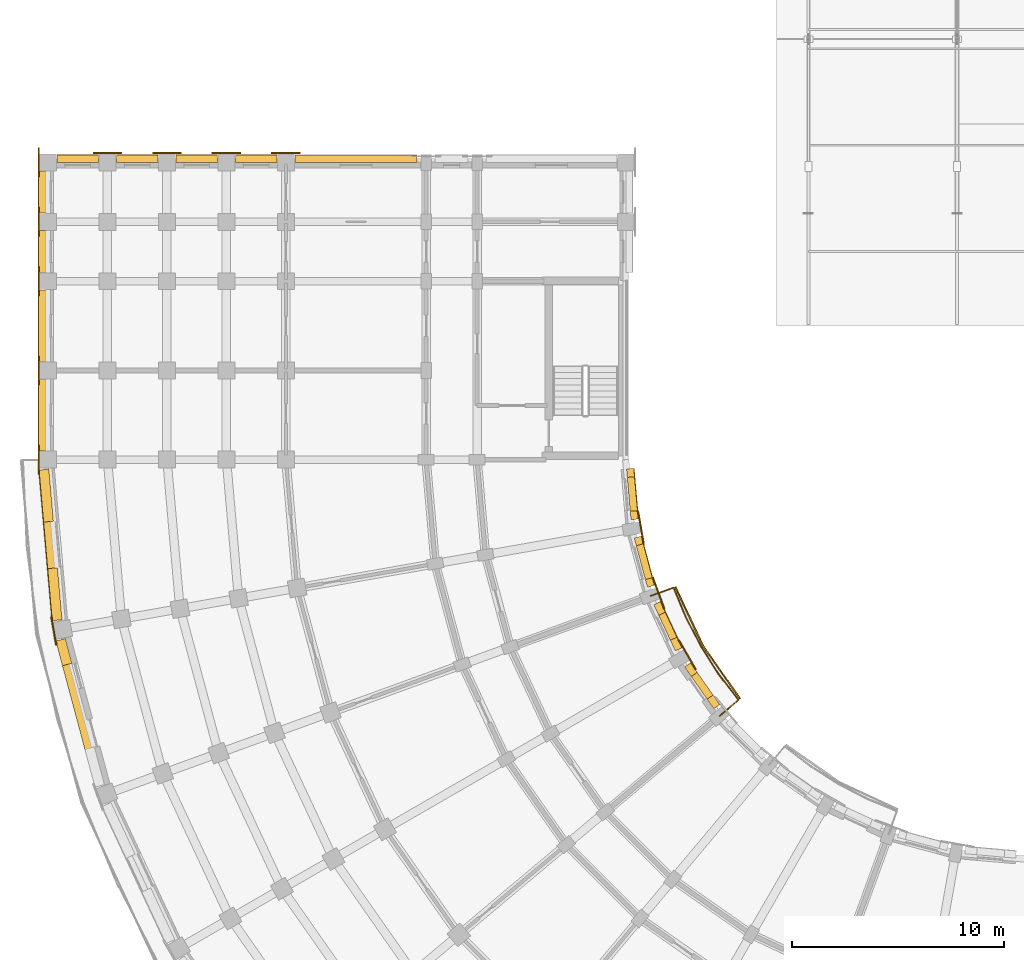
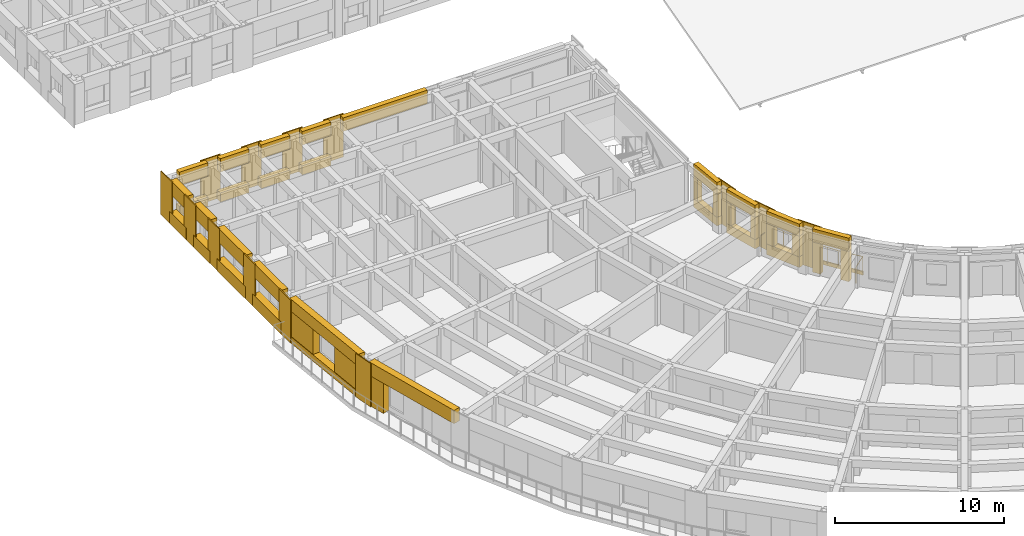
# One storey, part 62 of 76: 52 coverings, 1 railing.
"""IFC4 building model written with IfcOpenShell, lengths in metres."""

from ifc_helpers import new_model, si_unit, direction, frame, origin, origin_2d, place, context, subcontext, project, spatial, polyline, circle, outline, extrude, material, layer, layer_set, type_object, element, save


model = new_model("IFC4")

# Units and contexts
model_context = context("Model", 3, precision=1e-05, world=origin(), true_north=direction((0.0, 1.0)))
body_context = subcontext(model_context, "Body", "Model", "MODEL_VIEW")
ifc_project = project(units=[si_unit("LENGTHUNIT", "METRE"), si_unit("AREAUNIT", "SQUARE_METRE"), si_unit("VOLUMEUNIT", "CUBIC_METRE"), si_unit("PLANEANGLEUNIT", "RADIAN"), si_unit("MASSUNIT", "GRAM", prefix="KILO")], contexts=[model_context])

# Site, building, storey
site_placement = place(None, origin())
site = spatial("IfcSite", under=ifc_project, at=site_placement, CompositionType="ELEMENT")
building_placement = place(site_placement, origin())
building = spatial("IfcBuilding", under=site, at=building_placement, Name="Kiranvali Square Residences", CompositionType="ELEMENT")
storey_placement = place(building_placement, frame((0.0, 0.0, 8.699951171875)))
storey = spatial("IfcBuildingStorey", under=building, at=storey_placement, Name="L02", CompositionType="ELEMENT", Elevation=8.699951171875)

# Coverings
ifc_material_1 = material(Name="Carved Porbandar limestone classical entablature and cornice", Category="masonry")
ifc_layer_1 = layer(ifc_material_1, 0.06201171875)
ifc_layer_set_1 = layer_set([ifc_layer_1], Name="Carved Porbandar limestone classical entablature and cornice")
covering_type_1 = type_object("IfcCoveringType", Name="COV-CLAD-GBAL", PredefinedType="CLADDING", material=ifc_layer_set_1)
covering_1_placement = place(storey_placement, frame((0.0, 0.0, -0.219970703125)))
element("IfcCovering", 1, at=covering_1_placement, inside=storey, type_object=covering_type_1, Name="Block C L02 garden balcony limestone fascia 2", PredefinedType="CLADDING", context=body_context, shape_type="SweptSolid", body=[
    extrude(outline(polyline([(34.8095703125, 36.964111328125), (33.061767578125, 39.4599609375), (31.774169921875, 42.221435546875), (31.710205078125, 42.1982421875), (33.0029296875, 39.426025390625), (34.757568359375, 36.92041015625), (34.8095703125, 36.964111328125)])), origin(), (0.0, 0.0, 1.0), 0.27001953125),
])
ifc_material_2 = material(Name="Honed Porbandar limestone ashlar facade cladding", Category="masonry")
ifc_layer_2 = layer(ifc_material_2, 0.3798828125)
ifc_layer_set_2 = layer_set([ifc_layer_2], Name="Honed Porbandar limestone ashlar facade cladding")
covering_type_2 = type_object("IfcCoveringType", Name="COV-CLAD-JAMB", PredefinedType="CLADDING", material=ifc_layer_set_2)
covering_2_placement = place(storey_placement, origin())
element("IfcCovering", 2, at=covering_2_placement, inside=storey, type_object=covering_type_2, Name="L02 deep limestone window jamb reveal C-L02-CRV-07.R", PredefinedType="CLADDING", context=body_context, shape_type="SweptSolid", body=[
    extrude(outline(polyline([(3.32568359375, 38.617431640625), (3.014892578125, 39.77734375), (2.571044921875, 39.658447265625), (2.8818359375, 38.49853515625), (3.32568359375, 38.617431640625)])), origin(), (0.0, 0.0, 1.0), 2.179931640625),
])
covering_3_placement = place(storey_placement, frame((0.0, 0.0, 0.47216796875)))
element("IfcCovering", 3, at=covering_3_placement, inside=storey, type_object=covering_type_2, Name="L02 deep limestone window jamb reveal C-L02-CRV-08.L", PredefinedType="CLADDING", context=body_context, shape_type="SweptSolid", body=[
    extrude(outline(polyline([(2.859130859375, 40.660400390625), (2.644775390625, 43.1103515625), (2.18701171875, 43.070068359375), (2.4013671875, 40.620361328125), (2.859130859375, 40.660400390625)])), origin(), (0.0, 0.0, 1.0), 1.7998046875),
])
covering_4_placement = place(storey_placement, frame((0.0, 0.0, 0.47216796875)))
element("IfcCovering", 4, at=covering_4_placement, inside=storey, type_object=covering_type_2, Name="L02 deep limestone window jamb reveal C-L02-CRV-08.R", PredefinedType="CLADDING", context=body_context, shape_type="SweptSolid", body=[
    extrude(outline(polyline([(2.453125, 45.3017578125), (2.23876953125, 47.751708984375), (1.781005859375, 47.711669921875), (1.995361328125, 45.26171875), (2.453125, 45.3017578125)])), origin(), (0.0, 0.0, 1.0), 1.7998046875),
])
covering_5_placement = place(storey_placement, origin())
element("IfcCovering", 5, at=covering_5_placement, inside=storey, type_object=covering_type_2, Name="L02 deep limestone window jamb reveal C-L02-GDN-05.L", PredefinedType="CLADDING", context=body_context, shape_type="SweptSolid", body=[
    extrude(outline(polyline([(33.824462890625, 36.671142578125), (33.509765625, 37.120361328125), (33.231689453125, 36.925537109375), (33.54638671875, 36.476318359375), (33.824462890625, 36.671142578125)])), origin(), (0.0, 0.0, 1.0), 2.179931640625),
])
covering_6_placement = place(storey_placement, origin())
element("IfcCovering", 6, at=covering_6_placement, inside=storey, type_object=covering_type_2, Name="L02 deep limestone window jamb reveal C-L02-GDN-05.R", PredefinedType="CLADDING", context=body_context, shape_type="SweptSolid", body=[
    extrude(outline(polyline([(32.76416015625, 38.185302734375), (32.44970703125, 38.634521484375), (32.171630859375, 38.43994140625), (32.486083984375, 37.990478515625), (32.76416015625, 38.185302734375)])), origin(), (0.0, 0.0, 1.0), 2.179931640625),
])
covering_7_placement = place(storey_placement, frame((0.0, 0.0, 0.77197265625)))
element("IfcCovering", 7, at=covering_7_placement, inside=storey, type_object=covering_type_2, Name="L02 deep limestone window jamb reveal C-L02-GDN-06.L", PredefinedType="CLADDING", context=body_context, shape_type="SweptSolid", body=[
    extrude(outline(polyline([(32.041015625, 39.342529296875), (31.80908203125, 39.839599609375), (31.50146484375, 39.696044921875), (31.733154296875, 39.198974609375), (32.041015625, 39.342529296875)])), origin(), (0.0, 0.0, 1.0), 1.5),
])
covering_8_placement = place(storey_placement, frame((0.0, 0.0, 0.77197265625)))
element("IfcCovering", 8, at=covering_8_placement, inside=storey, type_object=covering_type_2, Name="L02 deep limestone window jamb reveal C-L02-GDN-06.R", PredefinedType="CLADDING", context=body_context, shape_type="SweptSolid", body=[
    extrude(outline(polyline([(31.259765625, 41.017822265625), (31.02783203125, 41.514892578125), (30.72021484375, 41.37158203125), (30.951904296875, 40.874267578125), (31.259765625, 41.017822265625)])), origin(), (0.0, 0.0, 1.0), 1.5),
])
covering_9_placement = place(storey_placement, frame((0.0, 0.0, 0.672119140625)))
element("IfcCovering", 9, at=covering_9_placement, inside=storey, type_object=covering_type_2, Name="L02 deep limestone window jamb reveal C-L02-GDN-07.L", PredefinedType="CLADDING", context=body_context, shape_type="SweptSolid", body=[
    extrude(outline(polyline([(30.748291015625, 42.282958984375), (30.651611328125, 42.643798828125), (30.32373046875, 42.555908203125), (30.42041015625, 42.195068359375), (30.748291015625, 42.282958984375)])), origin(), (0.0, 0.0, 1.0), 1.599853515625),
])
covering_10_placement = place(storey_placement, frame((0.0, 0.0, 0.672119140625)))
element("IfcCovering", 10, at=covering_10_placement, inside=storey, type_object=covering_type_2, Name="L02 deep limestone window jamb reveal C-L02-GDN-07.R", PredefinedType="CLADDING", context=body_context, shape_type="SweptSolid", body=[
    extrude(outline(polyline([(30.224609375, 44.237548828125), (30.1279296875, 44.598388671875), (29.800048828125, 44.510498046875), (29.896728515625, 44.149658203125), (30.224609375, 44.237548828125)])), origin(), (0.0, 0.0, 1.0), 1.599853515625),
])
covering_11_placement = place(storey_placement, frame((0.0, 0.0, 0.6220703125)))
element("IfcCovering", 11, at=covering_11_placement, inside=storey, type_object=covering_type_2, Name="L02 deep limestone window jamb reveal C-L02-GDN-08.L", PredefinedType="CLADDING", context=body_context, shape_type="SweptSolid", body=[
    extrude(outline(polyline([(29.986083984375, 45.4033203125), (29.951171875, 45.80029296875), (29.613037109375, 45.770751953125), (29.647705078125, 45.373779296875), (29.986083984375, 45.4033203125)])), origin(), (0.0, 0.0, 1.0), 1.64990234375),
])
covering_12_placement = place(storey_placement, frame((0.0, 0.0, 0.6220703125)))
element("IfcCovering", 12, at=covering_12_placement, inside=storey, type_object=covering_type_2, Name="L02 deep limestone window jamb reveal C-L02-GDN-08.R", PredefinedType="CLADDING", context=body_context, shape_type="SweptSolid", body=[
    extrude(outline(polyline([(29.811767578125, 47.394287109375), (29.777099609375, 47.791259765625), (29.43896484375, 47.76171875), (29.4736328125, 47.36474609375), (29.811767578125, 47.394287109375)])), origin(), (0.0, 0.0, 1.0), 1.64990234375),
])
ifc_layer_3 = layer(ifc_material_2, 0.06494140625)
ifc_layer_set_3 = layer_set([ifc_layer_3], Name="Honed Porbandar limestone ashlar facade cladding")
covering_type_3 = type_object("IfcCoveringType", Name="COV-CLAD-PIER", PredefinedType="CLADDING", material=ifc_layer_set_3)
covering_13_placement = place(storey_placement, frame((0.0, 0.0, 0.005126953125)))
element("IfcCovering", 13, at=covering_13_placement, inside=storey, type_object=covering_type_3, Name="L02 Classical limestone corner pilaster CLAD-PR-C-L02-A08", PredefinedType="CLADDING", context=body_context, shape_type="SweptSolid", body=[
    extrude(outline(polyline([(2.31982421875, 40.800537109375), (2.555908203125, 39.461181640625), (2.62255859375, 39.472900390625), (2.38623046875, 40.812255859375), (2.31982421875, 40.800537109375)])), origin(), (0.0, 0.0, 1.0), 3.139892578125),
])
covering_14_placement = place(storey_placement, frame((0.0, 0.0, 0.005126953125)))
element("IfcCovering", 14, at=covering_14_placement, inside=storey, type_object=covering_type_3, Name="L02 Classical limestone corner pilaster CLAD-PR-C-L02-A09", PredefinedType="CLADDING", context=body_context, shape_type="SweptSolid", body=[
    extrude(outline(polyline([(1.73193359375, 48.8798828125), (1.73193359375, 47.52001953125), (1.799560546875, 47.52001953125), (1.799560546875, 48.8798828125), (1.73193359375, 48.8798828125)])), origin(), (0.0, 0.0, 1.0), 3.139892578125),
])
covering_15_placement = place(storey_placement, frame((0.0, 0.0, 0.005126953125)))
element("IfcCovering", 15, at=covering_15_placement, inside=storey, type_object=covering_type_3, Name="L02 Classical limestone pilaster casing CLAD-PR-C-L02-V42", PredefinedType="CLADDING", context=body_context, shape_type="SweptSolid", body=[
    extrude(outline(polyline([(1.799560546875, 51.719970703125), (1.799560546875, 53.080078125), (1.73193359375, 53.080078125), (1.73193359375, 51.719970703125), (1.799560546875, 51.719970703125)])), origin(), (0.0, 0.0, 1.0), 3.139892578125),
])
covering_16_placement = place(storey_placement, frame((0.0, 0.0, 0.005126953125)))
element("IfcCovering", 16, at=covering_16_placement, inside=storey, type_object=covering_type_3, Name="L02 Classical limestone pilaster casing CLAD-PR-C-L02-V84", PredefinedType="CLADDING", context=body_context, shape_type="SweptSolid", body=[
    extrude(outline(polyline([(1.799560546875, 55.919921875), (1.799560546875, 57.280029296875), (1.73193359375, 57.280029296875), (1.73193359375, 55.919921875), (1.799560546875, 55.919921875)])), origin(), (0.0, 0.0, 1.0), 3.139892578125),
])
covering_17_placement = place(storey_placement, frame((0.0, 0.0, 0.005126953125)))
element("IfcCovering", 17, at=covering_17_placement, inside=storey, type_object=covering_type_3, Name="L02 Classical limestone pilaster casing CLAD-PR-C-L02-V112", PredefinedType="CLADDING", context=body_context, shape_type="SweptSolid", body=[
    extrude(outline(polyline([(1.799560546875, 58.719970703125), (1.799560546875, 60.080078125), (1.73193359375, 60.080078125), (1.73193359375, 58.719970703125), (1.799560546875, 58.719970703125)])), origin(), (0.0, 0.0, 1.0), 3.139892578125),
])
covering_18_placement = place(storey_placement, frame((0.0, 0.0, 0.005126953125)))
element("IfcCovering", 18, at=covering_18_placement, inside=storey, type_object=covering_type_3, Name="L02 Classical limestone pilaster casing CLAD-PR-C-L02-V140", PredefinedType="CLADDING", context=body_context, shape_type="SweptSolid", body=[
    extrude(outline(polyline([(1.799560546875, 61.52001953125), (1.799560546875, 62.8798828125), (1.73193359375, 62.8798828125), (1.73193359375, 61.52001953125), (1.799560546875, 61.52001953125)])), origin(), (0.0, 0.0, 1.0), 3.139892578125),
])
ifc_layer_4 = layer(ifc_material_2, 0.050048828125)
ifc_layer_set_4 = layer_set([ifc_layer_4], Name="Honed Porbandar limestone ashlar facade cladding")
covering_type_4 = type_object("IfcCoveringType", Name="COV-CLAD-PIER-IN", PredefinedType="CLADDING", material=ifc_layer_set_4)
covering_19_placement = place(storey_placement, frame((0.0, 0.0, 0.005126953125)))
element("IfcCovering", 19, at=covering_19_placement, inside=storey, type_object=covering_type_4, Name="L02 Classical garden courtyard pilaster CLAD-PRIN-C-L02-A06", PredefinedType="CLADDING", context=body_context, shape_type="SweptSolid", body=[
    extrude(outline(polyline([(32.72412109375, 38.341064453125), (31.924072265625, 39.726806640625), (31.865478515625, 39.693115234375), (32.66552734375, 38.307373046875), (32.72412109375, 38.341064453125)])), origin(), (0.0, 0.0, 1.0), 3.139892578125),
])
covering_20_placement = place(storey_placement, frame((0.0, 0.0, 0.005126953125)))
element("IfcCovering", 20, at=covering_20_placement, inside=storey, type_object=covering_type_4, Name="L02 Classical garden courtyard pilaster CLAD-PRIN-C-L02-A07", PredefinedType="CLADDING", context=body_context, shape_type="SweptSolid", body=[
    extrude(outline(polyline([(31.2470703125, 41.17822265625), (30.699951171875, 42.681884765625), (30.636474609375, 42.65869140625), (31.183837890625, 41.1552734375), (31.2470703125, 41.17822265625)])), origin(), (0.0, 0.0, 1.0), 3.139892578125),
])
covering_21_placement = place(storey_placement, frame((0.0, 0.0, 0.005126953125)))
element("IfcCovering", 21, at=covering_21_placement, inside=storey, type_object=covering_type_4, Name="L02 Classical garden courtyard pilaster CLAD-PRIN-C-L02-A08", PredefinedType="CLADDING", context=body_context, shape_type="SweptSolid", body=[
    extrude(outline(polyline([(30.285400390625, 44.228759765625), (30.007568359375, 45.804443359375), (29.941162109375, 45.792724609375), (30.218994140625, 44.217041015625), (30.285400390625, 44.228759765625)])), origin(), (0.0, 0.0, 1.0), 3.139892578125),
])
ifc_layer_5 = layer(ifc_material_2, 0.054931640625)
ifc_layer_set_5 = layer_set([ifc_layer_5], Name="Honed Porbandar limestone ashlar facade cladding")
covering_type_5 = type_object("IfcCoveringType", Name="COV-CLAD-PIER-UP", PredefinedType="CLADDING", material=ifc_layer_set_5)
covering_22_placement = place(storey_placement, frame((0.0, 0.0, 0.005126953125)))
element("IfcCovering", 22, at=covering_22_placement, inside=storey, type_object=covering_type_5, Name="L02 Classical limestone pilaster casing CLAD-PRA2E-C-L02-R348", PredefinedType="CLADDING", context=body_context, shape_type="SweptSolid", body=[
    extrude(outline(polyline([(14.080078125, 62.66796875), (12.719970703125, 62.66796875), (12.719970703125, 62.6005859375), (14.080078125, 62.6005859375), (14.080078125, 62.66796875)])), origin(), (0.0, 0.0, 1.0), 3.139892578125),
])
covering_23_placement = place(storey_placement, frame((0.0, 0.0, 0.005126953125)))
element("IfcCovering", 23, at=covering_23_placement, inside=storey, type_object=covering_type_5, Name="L02 Classical limestone pilaster casing CLAD-PRA2E-C-L02-R376", PredefinedType="CLADDING", context=body_context, shape_type="SweptSolid", body=[
    extrude(outline(polyline([(11.280029296875, 62.66796875), (9.919921875, 62.66796875), (9.919921875, 62.6005859375), (11.280029296875, 62.6005859375), (11.280029296875, 62.66796875)])), origin(), (0.0, 0.0, 1.0), 3.139892578125),
])
covering_24_placement = place(storey_placement, frame((0.0, 0.0, 0.005126953125)))
element("IfcCovering", 24, at=covering_24_placement, inside=storey, type_object=covering_type_5, Name="L02 Classical limestone pilaster casing CLAD-PRA2E-C-L02-R404", PredefinedType="CLADDING", context=body_context, shape_type="SweptSolid", body=[
    extrude(outline(polyline([(8.47998046875, 62.66796875), (7.1201171875, 62.66796875), (7.1201171875, 62.6005859375), (8.47998046875, 62.6005859375), (8.47998046875, 62.66796875)])), origin(), (0.0, 0.0, 1.0), 3.139892578125),
])
covering_25_placement = place(storey_placement, frame((0.0, 0.0, 0.005126953125)))
element("IfcCovering", 25, at=covering_25_placement, inside=storey, type_object=covering_type_5, Name="L02 Classical limestone pilaster casing CLAD-PRA2E-C-L02-R432", PredefinedType="CLADDING", context=body_context, shape_type="SweptSolid", body=[
    extrude(outline(polyline([(5.679931640625, 62.66796875), (4.320068359375, 62.66796875), (4.320068359375, 62.6005859375), (5.679931640625, 62.6005859375), (5.679931640625, 62.66796875)])), origin(), (0.0, 0.0, 1.0), 3.139892578125),
])
ifc_layer_6 = layer(ifc_material_2, 0.360107421875)
ifc_layer_set_6 = layer_set([ifc_layer_6], Name="Honed Porbandar limestone ashlar facade cladding")
covering_type_6 = type_object("IfcCoveringType", Name="COV-CLAD-WALL", PredefinedType="CLADDING", material=ifc_layer_set_6)
covering_26_placement = place(storey_placement, frame((0.0, 0.0, 2.179931640625)))
element("IfcCovering", 26, at=covering_26_placement, inside=storey, type_object=covering_type_6, Name="L02 light limestone spandrel lintel C-L02-CRV-07", PredefinedType="CLADDING", context=body_context, shape_type="SweptSolid", body=[
    extrude(outline(polyline([(4.857177734375, 32.901611328125), (3.014892578125, 39.77734375), (2.571044921875, 39.658447265625), (4.413330078125, 32.78271484375), (4.857177734375, 32.901611328125)])), origin(), (0.0, 0.0, 1.0), 0.965087890625),
])
covering_27_placement = place(storey_placement, frame((0.0, 0.0, 2.27197265625)))
element("IfcCovering", 27, at=covering_27_placement, inside=storey, type_object=covering_type_6, Name="L02 light limestone spandrel lintel C-L02-CRV-08", PredefinedType="CLADDING", context=body_context, shape_type="SweptSolid", body=[
    extrude(outline(polyline([(2.859130859375, 40.660400390625), (2.23876953125, 47.751708984375), (1.781005859375, 47.711669921875), (2.4013671875, 40.620361328125), (2.859130859375, 40.660400390625)])), origin(), (0.0, 0.0, 1.0), 0.873046875),
])
covering_28_placement = place(storey_placement, frame((0.0, 0.0, 0.005126953125)))
element("IfcCovering", 28, at=covering_28_placement, inside=storey, type_object=covering_type_6, Name="L02 limestone window sill apron C-L02-CRV-08", PredefinedType="CLADDING", context=body_context, shape_type="SweptSolid", body=[
    extrude(outline(polyline([(2.859130859375, 40.660400390625), (2.23876953125, 47.751708984375), (1.7509765625, 47.708984375), (2.37158203125, 40.61767578125), (2.859130859375, 40.660400390625)])), origin(), (0.0, 0.0, 1.0), 0.467041015625),
])
covering_29_placement = place(storey_placement, frame((0.0, 0.0, 2.179931640625)))
element("IfcCovering", 29, at=covering_29_placement, inside=storey, type_object=covering_type_6, Name="L02 light limestone spandrel lintel C-L02-GDN-05", PredefinedType="CLADDING", context=body_context, shape_type="SweptSolid", body=[
    extrude(outline(polyline([(33.824462890625, 36.671142578125), (32.44970703125, 38.634521484375), (32.171630859375, 38.43994140625), (33.54638671875, 36.476318359375), (33.824462890625, 36.671142578125)])), origin(), (0.0, 0.0, 1.0), 0.965087890625),
])
covering_30_placement = place(storey_placement, frame((0.0, 0.0, 2.27197265625)))
element("IfcCovering", 30, at=covering_30_placement, inside=storey, type_object=covering_type_6, Name="L02 light limestone spandrel lintel C-L02-GDN-06", PredefinedType="CLADDING", context=body_context, shape_type="SweptSolid", body=[
    extrude(outline(polyline([(32.041015625, 39.342529296875), (31.02783203125, 41.514892578125), (30.72021484375, 41.37158203125), (31.733154296875, 39.198974609375), (32.041015625, 39.342529296875)])), origin(), (0.0, 0.0, 1.0), 0.873046875),
])
covering_31_placement = place(storey_placement, frame((0.0, 0.0, 2.27197265625)))
element("IfcCovering", 31, at=covering_31_placement, inside=storey, type_object=covering_type_6, Name="L02 light limestone spandrel lintel C-L02-GDN-07", PredefinedType="CLADDING", context=body_context, shape_type="SweptSolid", body=[
    extrude(outline(polyline([(30.748291015625, 42.282958984375), (30.1279296875, 44.598388671875), (29.800048828125, 44.510498046875), (30.42041015625, 42.195068359375), (30.748291015625, 42.282958984375)])), origin(), (0.0, 0.0, 1.0), 0.873046875),
])
covering_32_placement = place(storey_placement, frame((0.0, 0.0, 2.27197265625)))
element("IfcCovering", 32, at=covering_32_placement, inside=storey, type_object=covering_type_6, Name="L02 light limestone spandrel lintel C-L02-GDN-08", PredefinedType="CLADDING", context=body_context, shape_type="SweptSolid", body=[
    extrude(outline(polyline([(29.986083984375, 45.4033203125), (29.777099609375, 47.791259765625), (29.43896484375, 47.76171875), (29.647705078125, 45.373779296875), (29.986083984375, 45.4033203125)])), origin(), (0.0, 0.0, 1.0), 0.873046875),
])
covering_33_placement = place(storey_placement, frame((0.0, 0.0, 2.130126953125)))
element("IfcCovering", 33, at=covering_33_placement, inside=storey, type_object=covering_type_6, Name="L02 light limestone spandrel lintel C-L02-A2O-0", PredefinedType="CLADDING", context=body_context, shape_type="SweptSolid", body=[
    extrude(outline(polyline([(2.199462890625, 48.6201171875), (2.199462890625, 51.97998046875), (1.75, 51.97998046875), (1.75, 48.6201171875), (2.199462890625, 48.6201171875)])), origin(), (0.0, 0.0, 1.0), 1.014892578125),
])
covering_34_placement = place(storey_placement, frame((0.0, 0.0, 0.005126953125)))
element("IfcCovering", 34, at=covering_34_placement, inside=storey, type_object=covering_type_6, Name="L02 limestone window sill apron C-L02-A2O-0", PredefinedType="CLADDING", context=body_context, shape_type="SweptSolid", body=[
    extrude(outline(polyline([(2.199462890625, 48.6201171875), (2.199462890625, 51.97998046875), (1.719970703125, 51.97998046875), (1.719970703125, 48.6201171875), (2.199462890625, 48.6201171875)])), origin(), (0.0, 0.0, 1.0), 0.875),
])
covering_35_placement = place(storey_placement, frame((0.0, 0.0, 2.130126953125)))
element("IfcCovering", 35, at=covering_35_placement, inside=storey, type_object=covering_type_6, Name="L02 light limestone spandrel lintel C-L02-A2O-1", PredefinedType="CLADDING", context=body_context, shape_type="SweptSolid", body=[
    extrude(outline(polyline([(2.199462890625, 52.820068359375), (2.199462890625, 56.179931640625), (1.75, 56.179931640625), (1.75, 52.820068359375), (2.199462890625, 52.820068359375)])), origin(), (0.0, 0.0, 1.0), 1.014892578125),
])
covering_36_placement = place(storey_placement, frame((0.0, 0.0, 0.005126953125)))
element("IfcCovering", 36, at=covering_36_placement, inside=storey, type_object=covering_type_6, Name="L02 limestone window sill apron C-L02-A2O-1", PredefinedType="CLADDING", context=body_context, shape_type="SweptSolid", body=[
    extrude(outline(polyline([(2.199462890625, 52.820068359375), (2.199462890625, 56.179931640625), (1.719970703125, 56.179931640625), (1.719970703125, 52.820068359375), (2.199462890625, 52.820068359375)])), origin(), (0.0, 0.0, 1.0), 0.875),
])
covering_37_placement = place(storey_placement, frame((0.0, 0.0, 2.130126953125)))
element("IfcCovering", 37, at=covering_37_placement, inside=storey, type_object=covering_type_6, Name="L02 light limestone spandrel lintel C-L02-A2O-2", PredefinedType="CLADDING", context=body_context, shape_type="SweptSolid", body=[
    extrude(outline(polyline([(2.199462890625, 57.02001953125), (2.199462890625, 58.97998046875), (1.75, 58.97998046875), (1.75, 57.02001953125), (2.199462890625, 57.02001953125)])), origin(), (0.0, 0.0, 1.0), 1.014892578125),
])
covering_38_placement = place(storey_placement, frame((0.0, 0.0, 0.005126953125)))
element("IfcCovering", 38, at=covering_38_placement, inside=storey, type_object=covering_type_6, Name="L02 limestone window sill apron C-L02-A2O-2", PredefinedType="CLADDING", context=body_context, shape_type="SweptSolid", body=[
    extrude(outline(polyline([(2.199462890625, 57.02001953125), (2.199462890625, 58.97998046875), (1.719970703125, 58.97998046875), (1.719970703125, 57.02001953125), (2.199462890625, 57.02001953125)])), origin(), (0.0, 0.0, 1.0), 0.875),
])
covering_39_placement = place(storey_placement, frame((0.0, 0.0, 2.130126953125)))
element("IfcCovering", 39, at=covering_39_placement, inside=storey, type_object=covering_type_6, Name="L02 light limestone spandrel lintel C-L02-A2O-3", PredefinedType="CLADDING", context=body_context, shape_type="SweptSolid", body=[
    extrude(outline(polyline([(2.199462890625, 59.820068359375), (2.199462890625, 61.780029296875), (1.75, 61.780029296875), (1.75, 59.820068359375), (2.199462890625, 59.820068359375)])), origin(), (0.0, 0.0, 1.0), 1.014892578125),
])
covering_40_placement = place(storey_placement, frame((0.0, 0.0, 0.005126953125)))
element("IfcCovering", 40, at=covering_40_placement, inside=storey, type_object=covering_type_6, Name="L02 limestone window sill apron C-L02-A2O-3", PredefinedType="CLADDING", context=body_context, shape_type="SweptSolid", body=[
    extrude(outline(polyline([(2.199462890625, 59.820068359375), (2.199462890625, 61.780029296875), (1.719970703125, 61.780029296875), (1.719970703125, 59.820068359375), (2.199462890625, 59.820068359375)])), origin(), (0.0, 0.0, 1.0), 0.875),
])
covering_41_placement = place(storey_placement, frame((0.0, 0.0, 2.172119140625)))
element("IfcCovering", 41, at=covering_41_placement, inside=storey, type_object=covering_type_6, Name="L02 light limestone spandrel lintel C-L02-A2END-2", PredefinedType="CLADDING", context=body_context, shape_type="SweptSolid", body=[
    extrude(outline(polyline([(19.580078125, 62.5400390625), (13.820068359375, 62.5400390625), (13.820068359375, 62.200439453125), (19.580078125, 62.200439453125), (19.580078125, 62.5400390625)])), origin(), (0.0, 0.0, 1.0), 0.972900390625),
])
covering_42_placement = place(storey_placement, frame((0.0, 0.0, 2.172119140625)))
element("IfcCovering", 42, at=covering_42_placement, inside=storey, type_object=covering_type_6, Name="L02 light limestone spandrel lintel C-L02-A2END-3", PredefinedType="CLADDING", context=body_context, shape_type="SweptSolid", body=[
    extrude(outline(polyline([(12.97998046875, 62.5400390625), (11.02001953125, 62.5400390625), (11.02001953125, 62.200439453125), (12.97998046875, 62.200439453125), (12.97998046875, 62.5400390625)])), origin(), (0.0, 0.0, 1.0), 0.972900390625),
])
covering_43_placement = place(storey_placement, frame((0.0, 0.0, 0.005126953125)))
element("IfcCovering", 43, at=covering_43_placement, inside=storey, type_object=covering_type_6, Name="L02 limestone window sill apron C-L02-A2END-3", PredefinedType="CLADDING", context=body_context, shape_type="SweptSolid", body=[
    extrude(outline(polyline([(12.97998046875, 62.570068359375), (11.02001953125, 62.570068359375), (11.02001953125, 62.200439453125), (12.97998046875, 62.200439453125), (12.97998046875, 62.570068359375)])), origin(), (0.0, 0.0, 1.0), 0.6669921875),
])
covering_44_placement = place(storey_placement, frame((0.0, 0.0, 2.172119140625)))
element("IfcCovering", 44, at=covering_44_placement, inside=storey, type_object=covering_type_6, Name="L02 light limestone spandrel lintel C-L02-A2END-4", PredefinedType="CLADDING", context=body_context, shape_type="SweptSolid", body=[
    extrude(outline(polyline([(10.179931640625, 62.5400390625), (8.219970703125, 62.5400390625), (8.219970703125, 62.200439453125), (10.179931640625, 62.200439453125), (10.179931640625, 62.5400390625)])), origin(), (0.0, 0.0, 1.0), 0.972900390625),
])
covering_45_placement = place(storey_placement, frame((0.0, 0.0, 0.005126953125)))
element("IfcCovering", 45, at=covering_45_placement, inside=storey, type_object=covering_type_6, Name="L02 limestone window sill apron C-L02-A2END-4", PredefinedType="CLADDING", context=body_context, shape_type="SweptSolid", body=[
    extrude(outline(polyline([(10.179931640625, 62.570068359375), (8.219970703125, 62.570068359375), (8.219970703125, 62.200439453125), (10.179931640625, 62.200439453125), (10.179931640625, 62.570068359375)])), origin(), (0.0, 0.0, 1.0), 0.6669921875),
])
covering_46_placement = place(storey_placement, frame((0.0, 0.0, 2.172119140625)))
element("IfcCovering", 46, at=covering_46_placement, inside=storey, type_object=covering_type_6, Name="L02 light limestone spandrel lintel C-L02-A2END-5", PredefinedType="CLADDING", context=body_context, shape_type="SweptSolid", body=[
    extrude(outline(polyline([(7.3798828125, 62.5400390625), (5.419921875, 62.5400390625), (5.419921875, 62.200439453125), (7.3798828125, 62.200439453125), (7.3798828125, 62.5400390625)])), origin(), (0.0, 0.0, 1.0), 0.972900390625),
])
covering_47_placement = place(storey_placement, frame((0.0, 0.0, 0.005126953125)))
element("IfcCovering", 47, at=covering_47_placement, inside=storey, type_object=covering_type_6, Name="L02 limestone window sill apron C-L02-A2END-5", PredefinedType="CLADDING", context=body_context, shape_type="SweptSolid", body=[
    extrude(outline(polyline([(7.3798828125, 62.570068359375), (5.419921875, 62.570068359375), (5.419921875, 62.200439453125), (7.3798828125, 62.200439453125), (7.3798828125, 62.570068359375)])), origin(), (0.0, 0.0, 1.0), 0.6669921875),
])
covering_48_placement = place(storey_placement, frame((0.0, 0.0, 2.172119140625)))
element("IfcCovering", 48, at=covering_48_placement, inside=storey, type_object=covering_type_6, Name="L02 light limestone spandrel lintel C-L02-A2END-6", PredefinedType="CLADDING", context=body_context, shape_type="SweptSolid", body=[
    extrude(outline(polyline([(4.580078125, 62.5400390625), (2.6201171875, 62.5400390625), (2.6201171875, 62.200439453125), (4.580078125, 62.200439453125), (4.580078125, 62.5400390625)])), origin(), (0.0, 0.0, 1.0), 0.972900390625),
])
covering_49_placement = place(storey_placement, frame((0.0, 0.0, 0.005126953125)))
element("IfcCovering", 49, at=covering_49_placement, inside=storey, type_object=covering_type_6, Name="L02 limestone window sill apron C-L02-A2END-6", PredefinedType="CLADDING", context=body_context, shape_type="SweptSolid", body=[
    extrude(outline(polyline([(4.580078125, 62.570068359375), (2.6201171875, 62.570068359375), (2.6201171875, 62.200439453125), (4.580078125, 62.200439453125), (4.580078125, 62.570068359375)])), origin(), (0.0, 0.0, 1.0), 0.6669921875),
])
ifc_layer_7 = layer(ifc_material_2, 0.2900390625)
ifc_layer_set_7 = layer_set([ifc_layer_7], Name="Honed Porbandar limestone ashlar facade cladding")
covering_type_7 = type_object("IfcCoveringType", Name="COV-CLAD-WALL-IN", PredefinedType="CLADDING", material=ifc_layer_set_7)
covering_50_placement = place(storey_placement, frame((0.0, 0.0, 0.005126953125)))
element("IfcCovering", 50, at=covering_50_placement, inside=storey, type_object=covering_type_7, Name="L02 limestone window sill apron C-L02-GDN-06", PredefinedType="CLADDING", context=body_context, shape_type="SweptSolid", body=[
    extrude(outline(polyline([(32.068115234375, 39.355224609375), (31.05517578125, 41.527587890625), (30.72021484375, 41.37158203125), (31.733154296875, 39.198974609375), (32.068115234375, 39.355224609375)])), origin(), (0.0, 0.0, 1.0), 0.766845703125),
])
covering_51_placement = place(storey_placement, frame((0.0, 0.0, 0.005126953125)))
element("IfcCovering", 51, at=covering_51_placement, inside=storey, type_object=covering_type_7, Name="L02 limestone window sill apron C-L02-GDN-07", PredefinedType="CLADDING", context=body_context, shape_type="SweptSolid", body=[
    extrude(outline(polyline([(30.77734375, 42.290771484375), (30.156982421875, 44.606201171875), (29.800048828125, 44.510498046875), (30.42041015625, 42.195068359375), (30.77734375, 42.290771484375)])), origin(), (0.0, 0.0, 1.0), 0.6669921875),
])
covering_52_placement = place(storey_placement, frame((0.0, 0.0, 0.005126953125)))
element("IfcCovering", 52, at=covering_52_placement, inside=storey, type_object=covering_type_7, Name="L02 limestone window sill apron C-L02-GDN-08", PredefinedType="CLADDING", context=body_context, shape_type="SweptSolid", body=[
    extrude(outline(polyline([(30.015869140625, 45.406005859375), (29.806884765625, 47.7939453125), (29.43896484375, 47.76171875), (29.647705078125, 45.373779296875), (30.015869140625, 45.406005859375)])), origin(), (0.0, 0.0, 1.0), 0.616943359375),
])

# Railing
ifc_material_3 = material(Name="Powder-coated architectural bronze balustrade", Category="steel")
railing_type = type_object("IfcRailingType", Name="RL-BAL-GOLD-1200", PredefinedType="BALUSTRADE", material=ifc_material_3)
railing_placement = place(storey_placement, frame((33.8291015625, 36.141357421875, 0.0)))
element("IfcRailing", 53, at=railing_placement, inside=storey, type_object=railing_type, Name="Block C L02 garden balcony gold balustrade 2", PredefinedType="BALUSTRADE", context=body_context, shape_type="SweptSolid", body=[
    extrude(circle(Radius=0.02392578125, at=origin_2d()), frame((0.0, 0.0, 1.17578125), z_axis=(0.765989188314, 0.642853454051, 0.0), x_axis=(-0.642853454051, 0.765989188314, 0.0)), (0.0, 0.0, 1.0), 1.14990234375),
    extrude(circle(Radius=0.02392578125, at=origin_2d()), frame((0.880859375, 0.7392578125, 1.17578125), z_axis=(-0.608811807471, 0.793314680996, 0.0), x_axis=(-0.793314680996, -0.608811807471, 0.0)), (0.0, 0.0, 1.0), 1.536376953125),
    extrude(circle(Radius=0.02392578125, at=origin_2d()), frame((-0.054443359375, 1.9580078125, 1.17578125), z_axis=(-0.537307309343, 0.843386539688, 0.0), x_axis=(-0.843386539688, -0.537307309343, 0.0)), (0.0, 0.0, 1.0), 1.5361328125),
    extrude(circle(Radius=0.02392578125, at=origin_2d()), frame((-0.8798828125, 3.253662109375, 1.17578125), z_axis=(-0.461713009976, 0.887029366154, 0.0), x_axis=(-0.887029366154, -0.461713009976, 0.0)), (0.0, 0.0, 1.0), 1.5361328125),
    extrude(circle(Radius=0.02392578125, at=origin_2d()), frame((-1.589111328125, 4.6162109375, 1.17578125), z_axis=(-0.382651197843, 0.923892883829, 0.0), x_axis=(-0.923892883829, -0.382651197843, 0.0)), (0.0, 0.0, 1.0), 1.536376953125),
    extrude(circle(Radius=0.02392578125, at=origin_2d()), frame((-2.177001953125, 6.03564453125, 1.17578125), z_axis=(-0.939712828289, -0.341964618562, 0.0), x_axis=(0.341964618562, -0.939712828289, 0.0)), (0.0, 0.0, 1.0), 1.150146484375),
    extrude(circle(Radius=0.02099609375, at=origin_2d()), origin(), (0.0, 0.0, 1.0), 1.15185546875),
    extrude(circle(Radius=0.02099609375, at=origin_2d()), frame((0.880859375, 0.7392578125, 0.0)), (0.0, 0.0, 1.0), 1.15185546875),
    extrude(circle(Radius=0.02099609375, at=origin_2d()), frame((0.4130859375, 1.3486328125, 0.0)), (0.0, 0.0, 1.0), 1.15185546875),
    extrude(circle(Radius=0.02099609375, at=origin_2d()), frame((-0.054443359375, 1.9580078125, 0.0)), (0.0, 0.0, 1.0), 1.15185546875),
    extrude(circle(Radius=0.02099609375, at=origin_2d()), frame((-0.46728515625, 2.60595703125, 0.0)), (0.0, 0.0, 1.0), 1.15185546875),
    extrude(circle(Radius=0.02099609375, at=origin_2d()), frame((-0.8798828125, 3.253662109375, 0.0)), (0.0, 0.0, 1.0), 1.15185546875),
    extrude(circle(Radius=0.02099609375, at=origin_2d()), frame((-1.234375, 3.93505859375, 0.0)), (0.0, 0.0, 1.0), 1.15185546875),
    extrude(circle(Radius=0.02099609375, at=origin_2d()), frame((-1.589111328125, 4.6162109375, 0.0)), (0.0, 0.0, 1.0), 1.15185546875),
    extrude(circle(Radius=0.02099609375, at=origin_2d()), frame((-1.883056640625, 5.325927734375, 0.0)), (0.0, 0.0, 1.0), 1.15185546875),
    extrude(circle(Radius=0.02099609375, at=origin_2d()), frame((-2.177001953125, 6.03564453125, 0.0)), (0.0, 0.0, 1.0), 1.15185546875),
    extrude(circle(Radius=0.02099609375, at=origin_2d()), frame((-3.2578125, 5.642333984375, 0.0)), (0.0, 0.0, 1.0), 1.15185546875),
])

save(model, "model.ifc")
